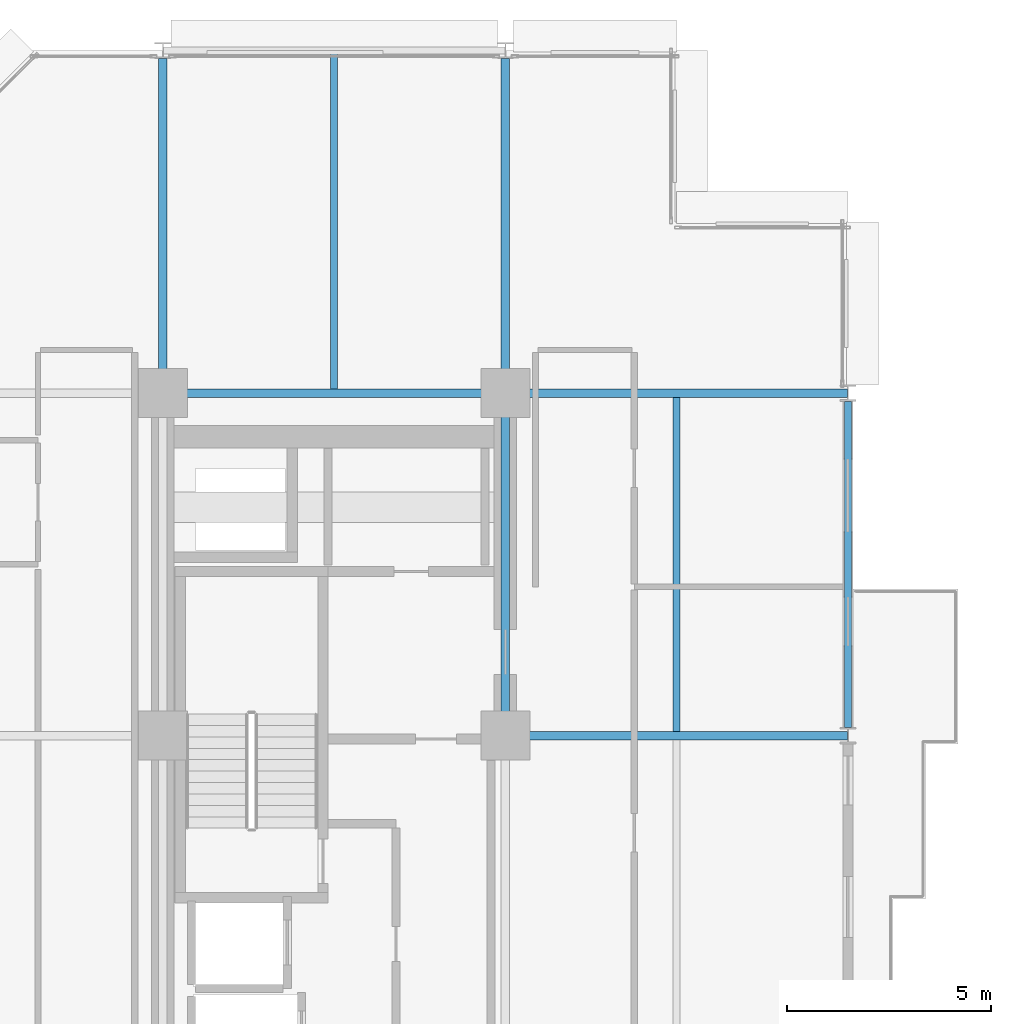
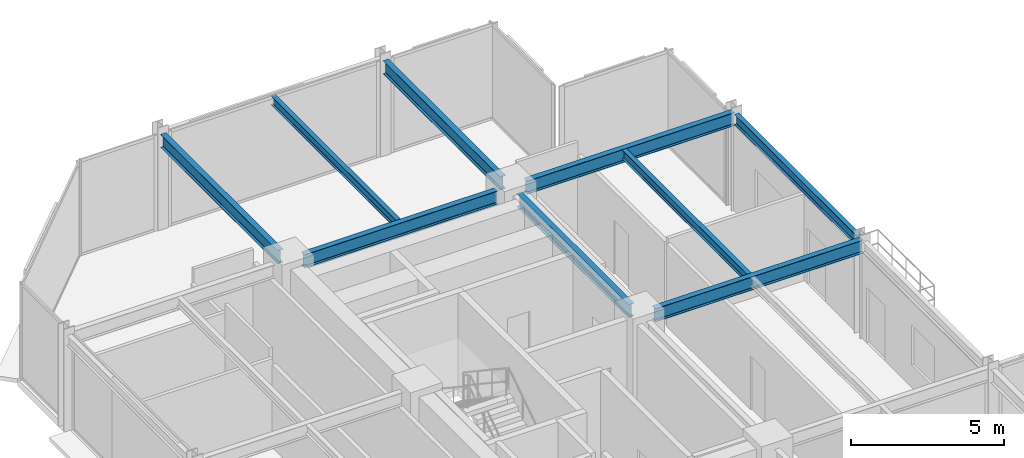
# One storey, part 19 of 30: 9 beams.
"""IFC4 building model written with IfcOpenShell, lengths in metres."""

from ifc_helpers import new_model, si_unit, direction, frame, origin, origin_2d, place, context, subcontext, project, spatial, i_section, extrude, material, material_profile, profile_set, type_object, element, save


model = new_model("IFC4")

# Units and contexts
model_context = context("Model", 3, precision=1e-05, world=origin(), true_north=direction((0.0, 1.0)))
body_context = subcontext(model_context, "Body", "Model", "MODEL_VIEW")
ifc_project = project(units=[si_unit("LENGTHUNIT", "METRE"), si_unit("AREAUNIT", "SQUARE_METRE"), si_unit("VOLUMEUNIT", "CUBIC_METRE"), si_unit("PLANEANGLEUNIT", "RADIAN"), si_unit("MASSUNIT", "GRAM", prefix="KILO")], contexts=[model_context])

# Site, building, storey
site_placement = place(None, origin())
site = spatial("IfcSite", under=ifc_project, at=site_placement, CompositionType="ELEMENT")
building_placement = place(site_placement, origin())
building = spatial("IfcBuilding", under=site, at=building_placement, Name="Nerrivon Quay Data Exchange", CompositionType="ELEMENT")
storey_placement = place(building_placement, frame((0.0, 0.0, 154.10009765625)))
storey = spatial("IfcBuildingStorey", under=building, at=storey_placement, Name="L36", CompositionType="ELEMENT", Elevation=154.10009765625)

# Beams
ifc_material = material(Name="Steel Grade 350", Category="steel")
ifc_material_profile_1 = material_profile(ifc_material, i_section(OverallWidth=0.208984375, OverallDepth=0.532958984375, WebThickness=0.01025390625, FlangeThickness=0.015625, FilletRadius=0.013916015625, at=origin_2d()), Name="530UB92.4")
ifc_profile_set_1 = profile_set([ifc_material_profile_1], Name="Steel Grade 350")
beam_type_1 = type_object("IfcBeamType", Name="BM-G3-530UB92", PredefinedType="BEAM", material=ifc_profile_set_1)
beam_1_placement = place(storey_placement, frame((17.340087890625, 33.60009765625, 3.558349609375), z_axis=(1.0, 0.0, 0.0), x_axis=(0.0, 1.0, 0.0)))
element("IfcBeam", 1, at=beam_1_placement, inside=storey, type_object=beam_type_1, Name="L36 EW Girder Y=33.6 (16.8..25.2)", PredefinedType="BEAM", context=body_context, shape_type="SweptSolid", body=[
    extrude(i_section(OverallWidth=0.208984375, OverallDepth=0.532958984375, WebThickness=0.01025390625, FlangeThickness=0.015625, FilletRadius=0.013916015625, at=origin_2d()), origin(), (0.0, 0.0, 1.0), 7.847412109375),
])
beam_2_placement = place(storey_placement, frame((8.93994140625, 42.0, 3.558349609375), z_axis=(1.0, 0.0, 0.0), x_axis=(0.0, 1.0, 0.0)))
element("IfcBeam", 2, at=beam_2_placement, inside=storey, type_object=beam_type_1, Name="L36 EW Girder Y=42.0 (8.4..16.8)", PredefinedType="BEAM", context=body_context, shape_type="SweptSolid", body=[
    extrude(i_section(OverallWidth=0.208984375, OverallDepth=0.532958984375, WebThickness=0.01025390625, FlangeThickness=0.015625, FilletRadius=0.013916015625, at=origin_2d()), origin(), (0.0, 0.0, 1.0), 7.320068359375),
])
beam_3_placement = place(storey_placement, frame((17.340087890625, 42.0, 3.558349609375), z_axis=(1.0, 0.0, 0.0), x_axis=(0.0, 1.0, 0.0)))
element("IfcBeam", 3, at=beam_3_placement, inside=storey, type_object=beam_type_1, Name="L36 EW Girder Y=42.0 (16.8..25.2)", PredefinedType="BEAM", context=body_context, shape_type="SweptSolid", body=[
    extrude(i_section(OverallWidth=0.208984375, OverallDepth=0.532958984375, WebThickness=0.01025390625, FlangeThickness=0.015625, FilletRadius=0.013916015625, at=origin_2d()), origin(), (0.0, 0.0, 1.0), 7.847412109375),
])
ifc_material_profile_2 = material_profile(ifc_material, i_section(OverallWidth=0.208984375, OverallDepth=0.528076171875, WebThickness=0.009521484375, FlangeThickness=0.01318359375, FilletRadius=0.013916015625, at=origin_2d()), Name="530UB82.0")
ifc_profile_set_2 = profile_set([ifc_material_profile_2], Name="Steel Grade 350")
beam_type_2 = type_object("IfcBeamType", Name="BM-G4-530UB82", PredefinedType="BEAM", material=ifc_profile_set_2)
beam_4_placement = place(storey_placement, frame((8.39990234375, 42.5400390625, 3.560791015625), z_axis=(0.0, 1.0, 0.0), x_axis=(-1.0, 0.0, 0.0)))
element("IfcBeam", 4, at=beam_4_placement, inside=storey, type_object=beam_type_2, Name="L36 NS Girder X=8.4 (42.0..50.4)", PredefinedType="BEAM", context=body_context, shape_type="SweptSolid", body=[
    extrude(i_section(OverallWidth=0.208984375, OverallDepth=0.528076171875, WebThickness=0.009521484375, FlangeThickness=0.01318359375, FilletRadius=0.013916015625, at=origin_2d()), origin(), (0.0, 0.0, 1.0), 7.659912109375),
])
beam_5_placement = place(storey_placement, frame((16.800048828125, 34.139892578125, 3.560791015625), z_axis=(0.0, 1.0, 0.0), x_axis=(-1.0, 0.0, 0.0)))
element("IfcBeam", 5, at=beam_5_placement, inside=storey, type_object=beam_type_2, Name="L36 NS Girder X=16.8 (33.6..42.0)", PredefinedType="BEAM", context=body_context, shape_type="SweptSolid", body=[
    extrude(i_section(OverallWidth=0.208984375, OverallDepth=0.528076171875, WebThickness=0.009521484375, FlangeThickness=0.01318359375, FilletRadius=0.013916015625, at=origin_2d()), origin(), (0.0, 0.0, 1.0), 7.320068359375),
])
beam_6_placement = place(storey_placement, frame((16.800048828125, 42.5400390625, 3.560791015625), z_axis=(0.0, 1.0, 0.0), x_axis=(-1.0, 0.0, 0.0)))
element("IfcBeam", 6, at=beam_6_placement, inside=storey, type_object=beam_type_2, Name="L36 NS Girder X=16.8 (42.0..50.4)", PredefinedType="BEAM", context=body_context, shape_type="SweptSolid", body=[
    extrude(i_section(OverallWidth=0.208984375, OverallDepth=0.528076171875, WebThickness=0.009521484375, FlangeThickness=0.01318359375, FilletRadius=0.013916015625, at=origin_2d()), origin(), (0.0, 0.0, 1.0), 7.659912109375),
])
ifc_material_profile_3 = material_profile(ifc_material, i_section(OverallWidth=0.1708984375, OverallDepth=0.35595703125, WebThickness=0.00732421875, FlangeThickness=0.011474609375, FilletRadius=0.011474609375, at=origin_2d()), Name="360UB50.7")
ifc_profile_set_3 = profile_set([ifc_material_profile_3], Name="Steel Grade 350")
beam_type_3 = type_object("IfcBeamType", Name="BM-J4-360UB51", PredefinedType="JOIST", material=ifc_profile_set_3)
beam_7_placement = place(storey_placement, frame((12.60009765625, 42.1044921875, 3.64697265625), z_axis=(0.0, 1.0, 0.0), x_axis=(-1.0, 0.0, 0.0)))
element("IfcBeam", 7, at=beam_7_placement, inside=storey, type_object=beam_type_3, Name="L36 Secondary Joist X=12.6 (42.0..50.4)", PredefinedType="JOIST", context=body_context, shape_type="SweptSolid", body=[
    extrude(i_section(OverallWidth=0.1708984375, OverallDepth=0.35595703125, WebThickness=0.00732421875, FlangeThickness=0.011474609375, FilletRadius=0.011474609375, at=origin_2d()), origin(), (0.0, 0.0, 1.0), 8.20654296875),
])
beam_8_placement = place(storey_placement, frame((21.0, 33.70458984375, 3.64697265625), z_axis=(0.0, 1.0, 0.0), x_axis=(-1.0, 0.0, 0.0)))
element("IfcBeam", 8, at=beam_8_placement, inside=storey, type_object=beam_type_3, Name="L36 Secondary Joist X=21.0 (33.6..42.0)", PredefinedType="JOIST", context=body_context, shape_type="SweptSolid", body=[
    extrude(i_section(OverallWidth=0.1708984375, OverallDepth=0.35595703125, WebThickness=0.00732421875, FlangeThickness=0.011474609375, FilletRadius=0.011474609375, at=origin_2d()), origin(), (0.0, 0.0, 1.0), 8.19091796875),
])
ifc_material_profile_4 = material_profile(ifc_material, i_section(OverallWidth=0.177978515625, OverallDepth=0.403076171875, WebThickness=0.007568359375, FlangeThickness=0.010986328125, FilletRadius=0.011474609375, at=origin_2d()), Name="410UB53.7")
ifc_profile_set_4 = profile_set([ifc_material_profile_4], Name="Steel Grade 350")
beam_type_4 = type_object("IfcBeamType", Name="BM-SP2-410UB54", PredefinedType="SPANDREL", material=ifc_profile_set_4)
beam_9_placement = place(storey_placement, frame((25.199951171875, 33.800048828125, 3.623291015625), z_axis=(0.0, 1.0, 0.0), x_axis=(-1.0, 0.0, 0.0)))
element("IfcBeam", 9, at=beam_9_placement, inside=storey, type_object=beam_type_4, Name="L36 NS Girder X=25.2 (33.6..42.0)", PredefinedType="SPANDREL", context=body_context, shape_type="SweptSolid", body=[
    extrude(i_section(OverallWidth=0.177978515625, OverallDepth=0.403076171875, WebThickness=0.007568359375, FlangeThickness=0.010986328125, FilletRadius=0.011474609375, at=origin_2d()), origin(), (0.0, 0.0, 1.0), 8.0),
])

save(model, "model.ifc")
